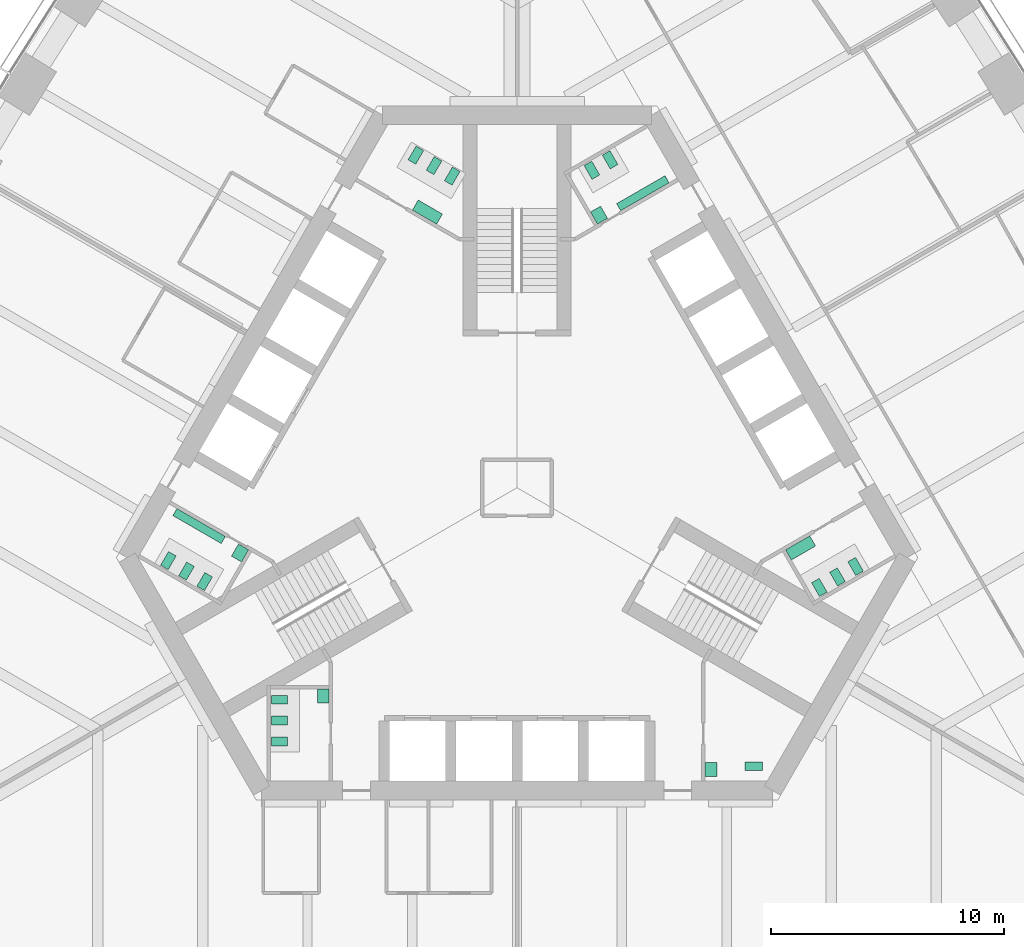
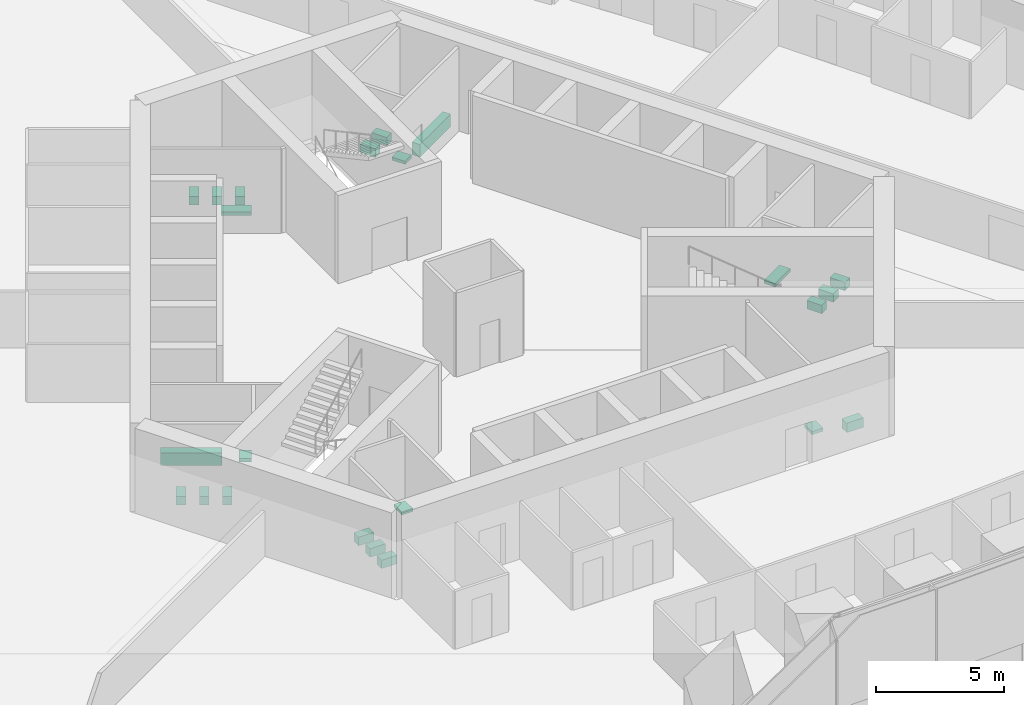
# One storey, part 17 of 18: 23 sanitary terminals.
"""IFC4 building model written with IfcOpenShell, lengths in metres."""

import ifcopenshell
import ifcopenshell.guid

model = None  # the IFC model being written
_history = None  # IfcOwnerHistory: only IFC2X3 demands one
_inside = {}  # id of a spatial element -> (the spatial element, [elements in it])
_under = {}  # id of a project, library or spatial element -> (it, [spatial elements below it])
_declared = {}  # id of a project -> (the project, [libraries it declares])
_typed = {}  # id of a type object -> (the type object, [elements of that type])
_made_of = {}  # id of a material, layer set ... -> (it, [elements and type objects made of it])


def new_model(schema):
    """Start an empty IFC model of exactly this schema.

    Asked for "IFC4X3", IfcOpenShell would pick the latest addendum, in which some entities
    have other attributes; the version numbers below select the first issue.
    IFC2X3 requires an IfcOwnerHistory on every rooted entity: one is made here for all.
    """
    global model, _history
    if schema == "IFC4X3":
        model = ifcopenshell.file(schema_version=(4, 3, 0, 0))
    else:
        model = ifcopenshell.file(schema=schema)
    _inside.clear()
    _under.clear()
    _declared.clear()
    _typed.clear()
    _made_of.clear()
    _history = None
    if model.schema == "IFC2X3":
        org = make("IfcOrganization", Name="unknown")
        user = make(
            "IfcPersonAndOrganization",
            ThePerson=make("IfcPerson", FamilyName="unknown"),
            TheOrganization=org,
        )
        app = make(
            "IfcApplication",
            ApplicationDeveloper=org,
            Version="unknown",
            ApplicationFullName="unknown",
            ApplicationIdentifier="unknown",
        )
        _history = make(
            "IfcOwnerHistory",
            OwningUser=user,
            OwningApplication=app,
            ChangeAction="ADDED",
            CreationDate=0,
        )
    return model


def make(cls, **values):
    """One entity of the class cls with the attributes given. An attribute that is None is left unset."""
    return model.create_entity(
        cls, **{name: value for name, value in values.items() if value is not None}
    )


def rooted(cls, **values):
    """An entity with a GlobalId (a new one), such as an element, a storey or a relation."""
    return make(cls, GlobalId=ifcopenshell.guid.new(), OwnerHistory=_history, **values)


def si_unit(unit_type, name, prefix=None):
    """IfcSIUnit, for example si_unit("LENGTHUNIT", "METRE", prefix="MILLI")."""
    return make("IfcSIUnit", UnitType=unit_type, Prefix=prefix, Name=name)


def assignment(units):
    """IfcUnitAssignment: the units of a project."""
    return None if units is None else make("IfcUnitAssignment", Units=units)


def point(xyz):
    """IfcCartesianPoint."""
    return None if xyz is None else make("IfcCartesianPoint", Coordinates=xyz)


def direction(xyz):
    """IfcDirection."""
    return None if xyz is None else make("IfcDirection", DirectionRatios=xyz)


def frame(location, z_axis=None, x_axis=None):
    """IfcAxis2Placement3D, a coordinate frame: its origin and axes. An axis left out is left unset."""
    return make(
        "IfcAxis2Placement3D",
        Location=point(location),
        Axis=direction(z_axis),
        RefDirection=direction(x_axis),
    )


def origin():
    """The frame at (0, 0, 0) with its axes left unset."""
    return frame((0.0, 0.0, 0.0))


def place(relative_to, where):
    """IfcLocalPlacement: puts the frame where relative to a parent placement (None: the world)."""
    return make(
        "IfcLocalPlacement", PlacementRelTo=relative_to, RelativePlacement=where
    )


def context(
    kind, dimensions, precision=None, world=None, true_north=None, identifier=None
):
    """IfcGeometricRepresentationContext, for example the 3D "Model" context."""
    return make(
        "IfcGeometricRepresentationContext",
        ContextIdentifier=identifier,
        ContextType=kind,
        CoordinateSpaceDimension=dimensions,
        Precision=precision,
        WorldCoordinateSystem=world,
        TrueNorth=true_north,
    )


def subcontext(parent, identifier, kind, view, scale=None):
    """IfcGeometricRepresentationSubContext, for example "Body" below "Model"."""
    return make(
        "IfcGeometricRepresentationSubContext",
        ContextIdentifier=identifier,
        ContextType=kind,
        ParentContext=parent,
        TargetScale=scale,
        TargetView=view,
    )


def project(units=None, contexts=None):
    """IfcProject with its units and contexts."""
    return rooted(
        "IfcProject",
        Name="project",
        RepresentationContexts=contexts,
        UnitsInContext=assignment(units),
    )


def spatial(cls, under=None, at=None, **own):
    """A site, building, storey or space (cls), placed at a placement, below another one or the project."""
    s = rooted(cls, ObjectPlacement=at, **own)
    if under is not None:
        _under.setdefault(under.id(), (under, []))[1].append(s)
    return s


def polyline(points):
    """IfcPolyline through the points."""
    return make("IfcPolyline", Points=[point(p) for p in points])


def outline(outer, holes=None, kind="AREA"):
    """IfcArbitraryClosedProfileDef: a profile drawn as a closed curve; with holes, ...WithVoids."""
    if holes is None:
        return make("IfcArbitraryClosedProfileDef", ProfileType=kind, OuterCurve=outer)
    return make(
        "IfcArbitraryProfileDefWithVoids",
        ProfileType=kind,
        OuterCurve=outer,
        InnerCurves=holes,
    )


def extrude(swept, where, along, depth):
    """IfcExtrudedAreaSolid: the profile swept, set in the frame where, extruded along a direction by depth."""
    return make(
        "IfcExtrudedAreaSolid",
        SweptArea=swept,
        Position=where,
        ExtrudedDirection=direction(along),
        Depth=depth,
    )


def shape(context_of_items, identifier, shape_type, items):
    """IfcShapeRepresentation: the items that make up one representation, for example the "Body"."""
    return make(
        "IfcShapeRepresentation",
        ContextOfItems=context_of_items,
        RepresentationIdentifier=identifier,
        RepresentationType=shape_type,
        Items=items,
    )


def material(Name=None, Category=None):
    """IfcMaterial."""
    return make("IfcMaterial", Name=Name, Category=Category)


def made_of(thing, what):
    """Note that an element or type object is made of a material, layer set ...; save() writes the relation."""
    if what is not None:
        _made_of.setdefault(what.id(), (what, []))[1].append(thing)
    return thing


def type_object(cls, material=None, **own):
    """A type object (cls), such as IfcWallType, which elements share."""
    return made_of(rooted(cls, **own), material)


def element(
    cls,
    number,
    at=None,
    inside=None,
    cuts=None,
    type_object=None,
    material=None,
    context=None,
    identifier="Body",
    shape_type=None,
    held_by="IfcProductDefinitionShape",
    body=None,
    shapes=None,
    **own,
):
    """One element of the class cls, such as IfcWall. Its Tag is "e" and its number.

    at: its placement. inside: the storey or other place that contains it. cuts: it is an
    opening in that element (IfcRelVoidsElement). A single representation is given by context,
    identifier, shape_type and body (its items); several are given by shapes. held_by: the class
    of the entity that holds the representations. save() writes the other relations.
    """
    e = rooted(cls, Tag="e%d" % number, ObjectPlacement=at, **own)
    if body is not None:
        shapes = [shape(context, identifier, shape_type, body)]
    if shapes is not None:
        e.Representation = make(held_by, Representations=shapes)
    if inside is not None:
        _inside.setdefault(inside.id(), (inside, []))[1].append(e)
    if cuts is not None:
        rooted(
            "IfcRelVoidsElement", RelatingBuildingElement=cuts, RelatedOpeningElement=e
        )
    if type_object is not None:
        _typed.setdefault(type_object.id(), (type_object, []))[1].append(e)
    return made_of(e, material)


def aggregate(whole, parts):
    """IfcRelAggregates: a whole, such as a stair, and the parts it consists of."""
    return rooted("IfcRelAggregates", RelatingObject=whole, RelatedObjects=parts)


def save(model, path):
    """Write the relations noted so far, then the file.

    IfcRelAggregates (storeys below a building ...), IfcRelContainedInSpatialStructure (elements
    in a storey), IfcRelDefinesByType, IfcRelAssociatesMaterial and IfcRelDeclares: one each for
    every whole, place, type object, material and project.
    """
    for whole, parts in _under.values():
        aggregate(whole, parts)
    for where, things in _inside.values():
        rooted(
            "IfcRelContainedInSpatialStructure",
            RelatedElements=things,
            RelatingStructure=where,
        )
    for kind, things in _typed.values():
        rooted("IfcRelDefinesByType", RelatedObjects=things, RelatingType=kind)
    for what, things in _made_of.values():
        rooted("IfcRelAssociatesMaterial", RelatedObjects=things, RelatingMaterial=what)
    for by, libraries in _declared.values():
        rooted("IfcRelDeclares", RelatingContext=by, RelatedDefinitions=libraries)
    model.write(path)


model = new_model("IFC4")

# Units and contexts
model_context = context("Model", 3, precision=1e-05, world=origin(), true_north=direction((0.0, 1.0)))
body_context = subcontext(model_context, "Body", "Model", "MODEL_VIEW")
ifc_project = project(units=[si_unit("LENGTHUNIT", "METRE"), si_unit("AREAUNIT", "SQUARE_METRE"), si_unit("VOLUMEUNIT", "CUBIC_METRE"), si_unit("PLANEANGLEUNIT", "RADIAN"), si_unit("MASSUNIT", "GRAM", prefix="KILO")], contexts=[model_context])

# Site, building, storey
site_placement = place(None, origin())
site = spatial("IfcSite", under=ifc_project, at=site_placement, CompositionType="ELEMENT")
building_placement = place(site_placement, origin())
building = spatial("IfcBuilding", under=site, at=building_placement, Name="Trefoil Bronze Tower", CompositionType="ELEMENT")
storey_placement = place(building_placement, frame((0.0, 0.0, 66.89990234375)))
storey = spatial("IfcBuildingStorey", under=building, at=storey_placement, Name="L15", CompositionType="ELEMENT", Elevation=66.89990234375)

# Sanitary terminals
ifc_material_1 = material(Name="Vitreous china", Category="ceramic")
sanitary_terminal_type_1 = type_object("IfcSanitaryTerminalType", Name="Accessible WC pan", PredefinedType="TOILETPAN", material=ifc_material_1)
sanitary_terminal_1_placement = place(storey_placement, origin())
element("IfcSanitaryTerminal", 1, at=sanitary_terminal_1_placement, inside=storey, type_object=sanitary_terminal_type_1, Name="WC pan 1 Accessible WC L15", PredefinedType="TOILETPAN", context=body_context, shape_type="SweptSolid", body=[
    extrude(outline(polyline([(9.784912109375, -11.77001953125), (10.534912109375, -11.77001953125), (10.534912109375, -12.14990234375), (9.784912109375, -12.14990234375), (9.784912109375, -11.77001953125)])), origin(), (0.0, 0.0, 1.0), 0.4501953125),
])
ifc_material_2 = material(Name="Vitreous china", Category="ceramic")
sanitary_terminal_type_2 = type_object("IfcSanitaryTerminalType", Name="Accessible basin", PredefinedType="WASHHANDBASIN", material=ifc_material_2)
sanitary_terminal_2_placement = place(storey_placement, frame((0.0, 0.0, 0.650146484375)))
element("IfcSanitaryTerminal", 2, at=sanitary_terminal_2_placement, inside=storey, type_object=sanitary_terminal_type_2, Name="Wash basin Accessible WC L15", PredefinedType="WASHHANDBASIN", context=body_context, shape_type="SweptSolid", body=[
    extrude(outline(polyline([(8.074951171875, -11.800048828125), (8.574951171875, -11.800048828125), (8.574951171875, -12.39990234375), (8.074951171875, -12.39990234375), (8.074951171875, -11.800048828125)])), origin(), (0.0, 0.0, 1.0), 0.14990234375),
])
ifc_material_3 = material(Name="Vitreous china", Category="ceramic")
sanitary_terminal_type_3 = type_object("IfcSanitaryTerminalType", Name="Urinal range 4 urinals", PredefinedType="URINAL", material=ifc_material_3)
sanitary_terminal_3_placement = place(storey_placement, frame((0.0, 0.0, 0.400146484375)))
element("IfcSanitaryTerminal", 3, at=sanitary_terminal_3_placement, inside=storey, type_object=sanitary_terminal_type_3, Name="Urinal range WC (men) L15", PredefinedType="URINAL", context=body_context, shape_type="SweptSolid", body=[
    extrude(outline(polyline([(4.449462890625, 11.89306640625), (4.274658203125, 12.1962890625), (6.35302734375, 13.396240234375), (6.528076171875, 13.09326171875), (4.449462890625, 11.89306640625)])), origin(), (0.0, 0.0, 1.0), 0.599853515625),
])
sanitary_terminal_4_placement = place(storey_placement, frame((0.0, 0.0, 0.400146484375)))
element("IfcSanitaryTerminal", 4, at=sanitary_terminal_4_placement, inside=storey, type_object=sanitary_terminal_type_3, Name="Urinal range WC (men) L15", PredefinedType="URINAL", context=body_context, shape_type="SweptSolid", body=[
    extrude(outline(polyline([(-12.524658203125, -2.09326171875), (-12.699462890625, -2.396240234375), (-14.778076171875, -1.1962890625), (-14.60302734375, -0.89306640625), (-12.524658203125, -2.09326171875)])), origin(), (0.0, 0.0, 1.0), 0.599853515625),
])
ifc_material_4 = material(Name="Solid surface vanity", Category="plastic")
sanitary_terminal_type_4 = type_object("IfcSanitaryTerminalType", Name="Vanity unit 1 basins", PredefinedType="WASHHANDBASIN", material=ifc_material_4)
sanitary_terminal_5_placement = place(storey_placement, frame((0.0, 0.0, 0.75)))
element("IfcSanitaryTerminal", 5, at=sanitary_terminal_5_placement, inside=storey, type_object=sanitary_terminal_type_4, Name="Vanity unit WC (men) L15", PredefinedType="WASHHANDBASIN", context=body_context, shape_type="SweptSolid", body=[
    extrude(outline(polyline([(3.45361328125, 11.318115234375), (3.153564453125, 11.837890625), (3.586669921875, 12.087890625), (3.88671875, 11.568115234375), (3.45361328125, 11.318115234375)])), origin(), (0.0, 0.0, 1.0), 0.150146484375),
])
sanitary_terminal_6_placement = place(storey_placement, frame((0.0, 0.0, 0.75)))
element("IfcSanitaryTerminal", 6, at=sanitary_terminal_6_placement, inside=storey, type_object=sanitary_terminal_type_4, Name="Vanity unit WC (men) L15", PredefinedType="WASHHANDBASIN", context=body_context, shape_type="SweptSolid", body=[
    extrude(outline(polyline([(-11.528564453125, -2.668212890625), (-11.82861328125, -3.187744140625), (-12.26171875, -2.937744140625), (-11.961669921875, -2.418212890625), (-11.528564453125, -2.668212890625)])), origin(), (0.0, 0.0, 1.0), 0.150146484375),
])
sanitary_terminal_7_placement = place(storey_placement, frame((0.0, 0.0, 0.75)))
element("IfcSanitaryTerminal", 7, at=sanitary_terminal_7_placement, inside=storey, type_object=sanitary_terminal_type_4, Name="Vanity unit WC (women) L15", PredefinedType="WASHHANDBASIN", context=body_context, shape_type="SweptSolid", body=[
    extrude(outline(polyline([(-8.074951171875, -8.64990234375), (-8.574951171875, -8.64990234375), (-8.574951171875, -9.25), (-8.074951171875, -9.25), (-8.074951171875, -8.64990234375)])), origin(), (0.0, 0.0, 1.0), 0.150146484375),
])
ifc_material_5 = material(Name="Solid surface vanity", Category="plastic")
sanitary_terminal_type_5 = type_object("IfcSanitaryTerminalType", Name="Vanity unit 2 basins", PredefinedType="WASHHANDBASIN", material=ifc_material_5)
sanitary_terminal_8_placement = place(storey_placement, frame((0.0, 0.0, 0.75)))
element("IfcSanitaryTerminal", 8, at=sanitary_terminal_8_placement, inside=storey, type_object=sanitary_terminal_type_5, Name="Vanity unit WC (women) L15", PredefinedType="WASHHANDBASIN", context=body_context, shape_type="SweptSolid", body=[
    extrude(outline(polyline([(11.528564453125, -2.668212890625), (11.778564453125, -3.10107421875), (12.81787109375, -2.501220703125), (12.56787109375, -2.068115234375), (11.528564453125, -2.668212890625)])), origin(), (0.0, 0.0, 1.0), 0.150146484375),
])
sanitary_terminal_9_placement = place(storey_placement, frame((0.0, 0.0, 0.75)))
element("IfcSanitaryTerminal", 9, at=sanitary_terminal_9_placement, inside=storey, type_object=sanitary_terminal_type_5, Name="Vanity unit WC (women) L15", PredefinedType="WASHHANDBASIN", context=body_context, shape_type="SweptSolid", body=[
    extrude(outline(polyline([(-3.45361328125, 11.318115234375), (-3.20361328125, 11.751220703125), (-4.242919921875, 12.35107421875), (-4.492919921875, 11.918212890625), (-3.45361328125, 11.318115234375)])), origin(), (0.0, 0.0, 1.0), 0.150146484375),
])
ifc_material_6 = material(Name="Vitreous china", Category="ceramic")
sanitary_terminal_type_6 = type_object("IfcSanitaryTerminalType", Name="WC pan", PredefinedType="TOILETPAN", material=ifc_material_6)
sanitary_terminal_10_placement = place(storey_placement, origin())
element("IfcSanitaryTerminal", 10, at=sanitary_terminal_10_placement, inside=storey, type_object=sanitary_terminal_type_6, Name="WC pan 1 WC (women) L15", PredefinedType="TOILETPAN", context=body_context, shape_type="SweptSolid", body=[
    extrude(outline(polyline([(12.643798828125, -4.07958984375), (12.98388671875, -4.66845703125), (13.31298828125, -4.478515625), (12.972900390625, -3.8896484375), (12.643798828125, -4.07958984375)])), origin(), (0.0, 0.0, 1.0), 0.400146484375),
])
sanitary_terminal_11_placement = place(storey_placement, origin())
element("IfcSanitaryTerminal", 11, at=sanitary_terminal_11_placement, inside=storey, type_object=sanitary_terminal_type_6, Name="WC pan 2 WC (women) L15", PredefinedType="TOILETPAN", context=body_context, shape_type="SweptSolid", body=[
    extrude(outline(polyline([(13.423095703125, -3.629638671875), (13.76318359375, -4.218505859375), (14.09228515625, -4.028564453125), (13.752197265625, -3.439697265625), (13.423095703125, -3.629638671875)])), origin(), (0.0, 0.0, 1.0), 0.400146484375),
])
sanitary_terminal_12_placement = place(storey_placement, origin())
element("IfcSanitaryTerminal", 12, at=sanitary_terminal_12_placement, inside=storey, type_object=sanitary_terminal_type_6, Name="WC pan 3 WC (women) L15", PredefinedType="TOILETPAN", context=body_context, shape_type="SweptSolid", body=[
    extrude(outline(polyline([(14.20263671875, -3.1796875), (14.542724609375, -3.7685546875), (14.871826171875, -3.57861328125), (14.53173828125, -2.98974609375), (14.20263671875, -3.1796875)])), origin(), (0.0, 0.0, 1.0), 0.400146484375),
])
sanitary_terminal_13_placement = place(storey_placement, origin())
element("IfcSanitaryTerminal", 13, at=sanitary_terminal_13_placement, inside=storey, type_object=sanitary_terminal_type_6, Name="WC pan 1 WC (men) L15", PredefinedType="TOILETPAN", context=body_context, shape_type="SweptSolid", body=[
    extrude(outline(polyline([(3.2216796875, 13.23974609375), (2.8818359375, 13.82861328125), (3.2109375, 14.0185546875), (3.55078125, 13.4296875), (3.2216796875, 13.23974609375)])), origin(), (0.0, 0.0, 1.0), 0.400146484375),
])
sanitary_terminal_14_placement = place(storey_placement, origin())
element("IfcSanitaryTerminal", 14, at=sanitary_terminal_14_placement, inside=storey, type_object=sanitary_terminal_type_6, Name="WC pan 2 WC (men) L15", PredefinedType="TOILETPAN", context=body_context, shape_type="SweptSolid", body=[
    extrude(outline(polyline([(4.001220703125, 13.689697265625), (3.6611328125, 14.278564453125), (3.990234375, 14.468505859375), (4.330322265625, 13.879638671875), (4.001220703125, 13.689697265625)])), origin(), (0.0, 0.0, 1.0), 0.400146484375),
])
sanitary_terminal_15_placement = place(storey_placement, origin())
element("IfcSanitaryTerminal", 15, at=sanitary_terminal_15_placement, inside=storey, type_object=sanitary_terminal_type_6, Name="WC pan 1 WC (women) L15", PredefinedType="TOILETPAN", context=body_context, shape_type="SweptSolid", body=[
    extrude(outline(polyline([(-2.788818359375, 12.98974609375), (-2.44873046875, 13.57861328125), (-2.77783203125, 13.7685546875), (-3.117919921875, 13.1796875), (-2.788818359375, 12.98974609375)])), origin(), (0.0, 0.0, 1.0), 0.400146484375),
])
sanitary_terminal_16_placement = place(storey_placement, origin())
element("IfcSanitaryTerminal", 16, at=sanitary_terminal_16_placement, inside=storey, type_object=sanitary_terminal_type_6, Name="WC pan 2 WC (women) L15", PredefinedType="TOILETPAN", context=body_context, shape_type="SweptSolid", body=[
    extrude(outline(polyline([(-3.568115234375, 13.439697265625), (-3.228271484375, 14.028564453125), (-3.557373046875, 14.218505859375), (-3.897216796875, 13.629638671875), (-3.568115234375, 13.439697265625)])), origin(), (0.0, 0.0, 1.0), 0.400146484375),
])
sanitary_terminal_17_placement = place(storey_placement, origin())
element("IfcSanitaryTerminal", 17, at=sanitary_terminal_17_placement, inside=storey, type_object=sanitary_terminal_type_6, Name="WC pan 3 WC (women) L15", PredefinedType="TOILETPAN", context=body_context, shape_type="SweptSolid", body=[
    extrude(outline(polyline([(-4.34765625, 13.8896484375), (-4.007568359375, 14.478515625), (-4.336669921875, 14.66845703125), (-4.6767578125, 14.07958984375), (-4.34765625, 13.8896484375)])), origin(), (0.0, 0.0, 1.0), 0.400146484375),
])
sanitary_terminal_18_placement = place(storey_placement, origin())
element("IfcSanitaryTerminal", 18, at=sanitary_terminal_18_placement, inside=storey, type_object=sanitary_terminal_type_6, Name="WC pan 1 WC (men) L15", PredefinedType="TOILETPAN", context=body_context, shape_type="SweptSolid", body=[
    extrude(outline(polyline([(-13.076904296875, -3.82958984375), (-13.416748046875, -4.41845703125), (-13.745849609375, -4.228515625), (-13.406005859375, -3.6396484375), (-13.076904296875, -3.82958984375)])), origin(), (0.0, 0.0, 1.0), 0.400146484375),
])
sanitary_terminal_19_placement = place(storey_placement, origin())
element("IfcSanitaryTerminal", 19, at=sanitary_terminal_19_placement, inside=storey, type_object=sanitary_terminal_type_6, Name="WC pan 2 WC (men) L15", PredefinedType="TOILETPAN", context=body_context, shape_type="SweptSolid", body=[
    extrude(outline(polyline([(-13.856201171875, -3.379638671875), (-14.1962890625, -3.968505859375), (-14.525390625, -3.778564453125), (-14.185302734375, -3.189697265625), (-13.856201171875, -3.379638671875)])), origin(), (0.0, 0.0, 1.0), 0.400146484375),
])
sanitary_terminal_20_placement = place(storey_placement, origin())
element("IfcSanitaryTerminal", 20, at=sanitary_terminal_20_placement, inside=storey, type_object=sanitary_terminal_type_6, Name="WC pan 3 WC (men) L15", PredefinedType="TOILETPAN", context=body_context, shape_type="SweptSolid", body=[
    extrude(outline(polyline([(-14.6357421875, -2.9296875), (-14.9755859375, -3.5185546875), (-15.3046875, -3.32861328125), (-14.96484375, -2.73974609375), (-14.6357421875, -2.9296875)])), origin(), (0.0, 0.0, 1.0), 0.400146484375),
])
sanitary_terminal_21_placement = place(storey_placement, origin())
element("IfcSanitaryTerminal", 21, at=sanitary_terminal_21_placement, inside=storey, type_object=sanitary_terminal_type_6, Name="WC pan 1 WC (women) L15", PredefinedType="TOILETPAN", context=body_context, shape_type="SweptSolid", body=[
    extrude(outline(polyline([(-9.85498046875, -8.909912109375), (-10.534912109375, -8.909912109375), (-10.534912109375, -9.2900390625), (-9.85498046875, -9.2900390625), (-9.85498046875, -8.909912109375)])), origin(), (0.0, 0.0, 1.0), 0.400146484375),
])
sanitary_terminal_22_placement = place(storey_placement, origin())
element("IfcSanitaryTerminal", 22, at=sanitary_terminal_22_placement, inside=storey, type_object=sanitary_terminal_type_6, Name="WC pan 2 WC (women) L15", PredefinedType="TOILETPAN", context=body_context, shape_type="SweptSolid", body=[
    extrude(outline(polyline([(-9.85498046875, -9.81005859375), (-10.534912109375, -9.81005859375), (-10.534912109375, -10.18994140625), (-9.85498046875, -10.18994140625), (-9.85498046875, -9.81005859375)])), origin(), (0.0, 0.0, 1.0), 0.400146484375),
])
sanitary_terminal_23_placement = place(storey_placement, origin())
element("IfcSanitaryTerminal", 23, at=sanitary_terminal_23_placement, inside=storey, type_object=sanitary_terminal_type_6, Name="WC pan 3 WC (women) L15", PredefinedType="TOILETPAN", context=body_context, shape_type="SweptSolid", body=[
    extrude(outline(polyline([(-9.85498046875, -10.7099609375), (-10.534912109375, -10.7099609375), (-10.534912109375, -11.090087890625), (-9.85498046875, -11.090087890625), (-9.85498046875, -10.7099609375)])), origin(), (0.0, 0.0, 1.0), 0.400146484375),
])

save(model, "model.ifc")
